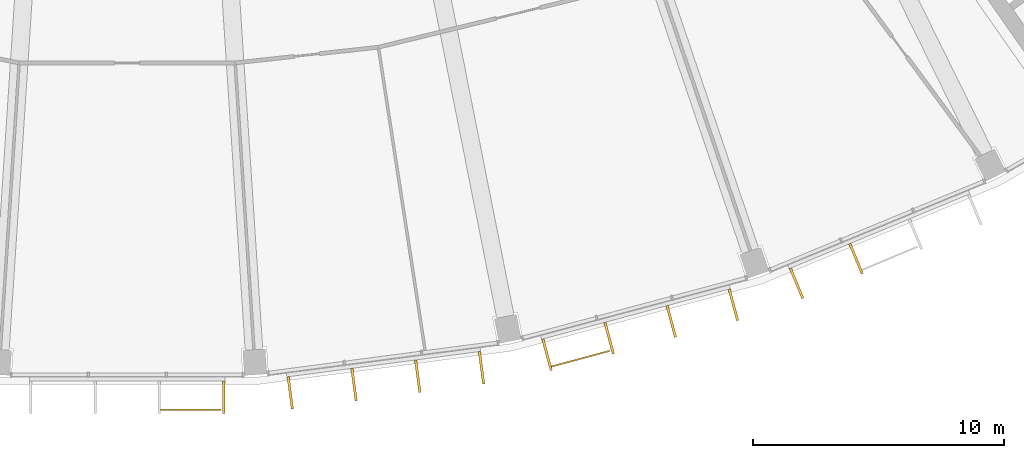
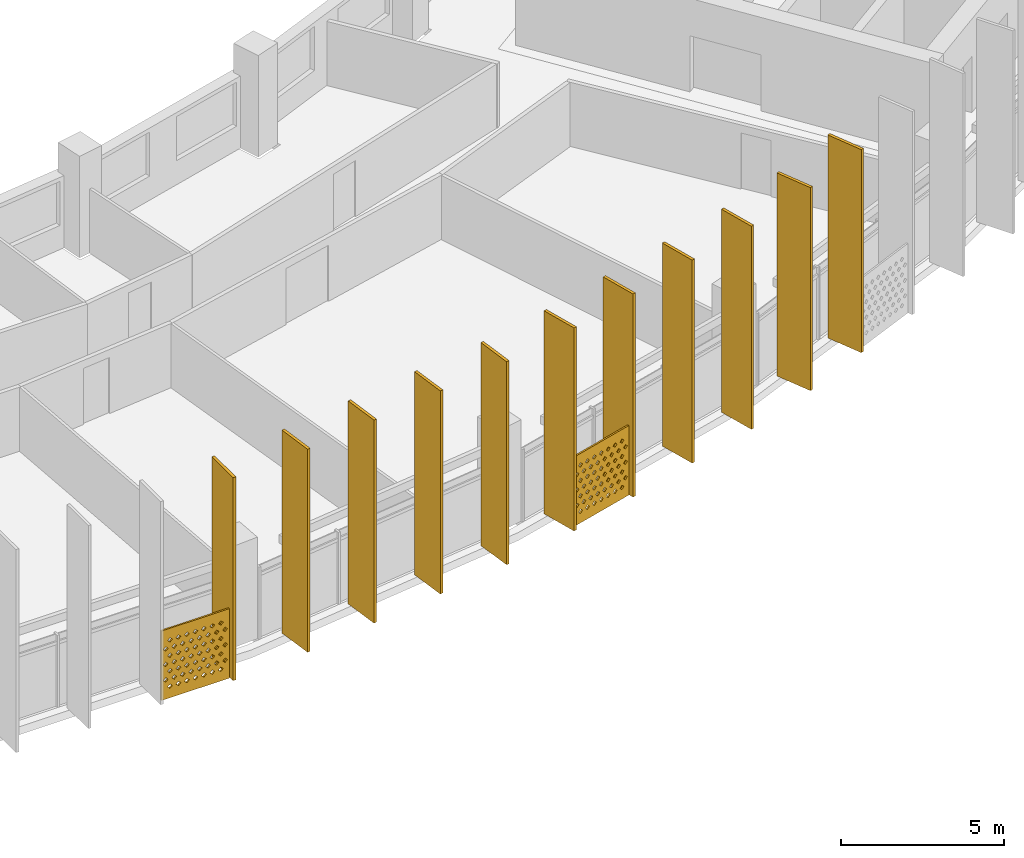
# One storey, part 26 of 29: 13 shading devices.
"""IFC4 building model written with IfcOpenShell, lengths in metres."""

import ifcopenshell
import ifcopenshell.guid

model = None  # the IFC model being written
_history = None  # IfcOwnerHistory: only IFC2X3 demands one
_inside = {}  # id of a spatial element -> (the spatial element, [elements in it])
_under = {}  # id of a project, library or spatial element -> (it, [spatial elements below it])
_declared = {}  # id of a project -> (the project, [libraries it declares])
_typed = {}  # id of a type object -> (the type object, [elements of that type])
_made_of = {}  # id of a material, layer set ... -> (it, [elements and type objects made of it])


def new_model(schema):
    """Start an empty IFC model of exactly this schema.

    Asked for "IFC4X3", IfcOpenShell would pick the latest addendum, in which some entities
    have other attributes; the version numbers below select the first issue.
    IFC2X3 requires an IfcOwnerHistory on every rooted entity: one is made here for all.
    """
    global model, _history
    if schema == "IFC4X3":
        model = ifcopenshell.file(schema_version=(4, 3, 0, 0))
    else:
        model = ifcopenshell.file(schema=schema)
    _inside.clear()
    _under.clear()
    _declared.clear()
    _typed.clear()
    _made_of.clear()
    _history = None
    if model.schema == "IFC2X3":
        org = make("IfcOrganization", Name="unknown")
        user = make(
            "IfcPersonAndOrganization",
            ThePerson=make("IfcPerson", FamilyName="unknown"),
            TheOrganization=org,
        )
        app = make(
            "IfcApplication",
            ApplicationDeveloper=org,
            Version="unknown",
            ApplicationFullName="unknown",
            ApplicationIdentifier="unknown",
        )
        _history = make(
            "IfcOwnerHistory",
            OwningUser=user,
            OwningApplication=app,
            ChangeAction="ADDED",
            CreationDate=0,
        )
    return model


def make(cls, **values):
    """One entity of the class cls with the attributes given. An attribute that is None is left unset."""
    return model.create_entity(
        cls, **{name: value for name, value in values.items() if value is not None}
    )


def rooted(cls, **values):
    """An entity with a GlobalId (a new one), such as an element, a storey or a relation."""
    return make(cls, GlobalId=ifcopenshell.guid.new(), OwnerHistory=_history, **values)


def si_unit(unit_type, name, prefix=None):
    """IfcSIUnit, for example si_unit("LENGTHUNIT", "METRE", prefix="MILLI")."""
    return make("IfcSIUnit", UnitType=unit_type, Prefix=prefix, Name=name)


def assignment(units):
    """IfcUnitAssignment: the units of a project."""
    return None if units is None else make("IfcUnitAssignment", Units=units)


def point(xyz):
    """IfcCartesianPoint."""
    return None if xyz is None else make("IfcCartesianPoint", Coordinates=xyz)


def direction(xyz):
    """IfcDirection."""
    return None if xyz is None else make("IfcDirection", DirectionRatios=xyz)


def frame(location, z_axis=None, x_axis=None):
    """IfcAxis2Placement3D, a coordinate frame: its origin and axes. An axis left out is left unset."""
    return make(
        "IfcAxis2Placement3D",
        Location=point(location),
        Axis=direction(z_axis),
        RefDirection=direction(x_axis),
    )


def frame_2d(location, x_axis=None):
    """IfcAxis2Placement2D, a coordinate frame in the plane: its origin and x axis."""
    return make(
        "IfcAxis2Placement2D", Location=point(location), RefDirection=direction(x_axis)
    )


def origin():
    """The frame at (0, 0, 0) with its axes left unset."""
    return frame((0.0, 0.0, 0.0))


def origin_2d():
    """The frame at (0, 0) in the plane with its x axis left unset."""
    return frame_2d((0.0, 0.0))


def place(relative_to, where):
    """IfcLocalPlacement: puts the frame where relative to a parent placement (None: the world)."""
    return make(
        "IfcLocalPlacement", PlacementRelTo=relative_to, RelativePlacement=where
    )


def context(
    kind, dimensions, precision=None, world=None, true_north=None, identifier=None
):
    """IfcGeometricRepresentationContext, for example the 3D "Model" context."""
    return make(
        "IfcGeometricRepresentationContext",
        ContextIdentifier=identifier,
        ContextType=kind,
        CoordinateSpaceDimension=dimensions,
        Precision=precision,
        WorldCoordinateSystem=world,
        TrueNorth=true_north,
    )


def subcontext(parent, identifier, kind, view, scale=None):
    """IfcGeometricRepresentationSubContext, for example "Body" below "Model"."""
    return make(
        "IfcGeometricRepresentationSubContext",
        ContextIdentifier=identifier,
        ContextType=kind,
        ParentContext=parent,
        TargetScale=scale,
        TargetView=view,
    )


def project(units=None, contexts=None):
    """IfcProject with its units and contexts."""
    return rooted(
        "IfcProject",
        Name="project",
        RepresentationContexts=contexts,
        UnitsInContext=assignment(units),
    )


def spatial(cls, under=None, at=None, **own):
    """A site, building, storey or space (cls), placed at a placement, below another one or the project."""
    s = rooted(cls, ObjectPlacement=at, **own)
    if under is not None:
        _under.setdefault(under.id(), (under, []))[1].append(s)
    return s


def polyline(points):
    """IfcPolyline through the points."""
    return make("IfcPolyline", Points=[point(p) for p in points])


def profile(cls, at=None, kind="AREA", **sizes):
    """A parametric profile (cls). Its sizes go by their IFC names, for example OverallWidth=200.0."""
    return make(cls, ProfileType=kind, Position=at, **sizes)


def rectangle(**sizes):
    """IfcRectangleProfileDef."""
    return profile("IfcRectangleProfileDef", **sizes)


def outline(outer, holes=None, kind="AREA"):
    """IfcArbitraryClosedProfileDef: a profile drawn as a closed curve; with holes, ...WithVoids."""
    if holes is None:
        return make("IfcArbitraryClosedProfileDef", ProfileType=kind, OuterCurve=outer)
    return make(
        "IfcArbitraryProfileDefWithVoids",
        ProfileType=kind,
        OuterCurve=outer,
        InnerCurves=holes,
    )


def extrude(swept, where, along, depth):
    """IfcExtrudedAreaSolid: the profile swept, set in the frame where, extruded along a direction by depth."""
    return make(
        "IfcExtrudedAreaSolid",
        SweptArea=swept,
        Position=where,
        ExtrudedDirection=direction(along),
        Depth=depth,
    )


def shape(context_of_items, identifier, shape_type, items):
    """IfcShapeRepresentation: the items that make up one representation, for example the "Body"."""
    return make(
        "IfcShapeRepresentation",
        ContextOfItems=context_of_items,
        RepresentationIdentifier=identifier,
        RepresentationType=shape_type,
        Items=items,
    )


def material(Name=None, Category=None):
    """IfcMaterial."""
    return make("IfcMaterial", Name=Name, Category=Category)


def material_profile(
    of_material, cross_section, Name=None, Category=None, Priority=None
):
    """IfcMaterialProfile: a cross section and its material."""
    return make(
        "IfcMaterialProfile",
        Name=Name,
        Material=of_material,
        Profile=cross_section,
        Priority=Priority,
        Category=Category,
    )


def profile_set(profiles, Name=None, composite=None):
    """IfcMaterialProfileSet."""
    return make(
        "IfcMaterialProfileSet",
        Name=Name,
        MaterialProfiles=profiles,
        CompositeProfile=composite,
    )


def made_of(thing, what):
    """Note that an element or type object is made of a material, layer set ...; save() writes the relation."""
    if what is not None:
        _made_of.setdefault(what.id(), (what, []))[1].append(thing)
    return thing


def type_object(cls, material=None, **own):
    """A type object (cls), such as IfcWallType, which elements share."""
    return made_of(rooted(cls, **own), material)


def element(
    cls,
    number,
    at=None,
    inside=None,
    cuts=None,
    type_object=None,
    material=None,
    context=None,
    identifier="Body",
    shape_type=None,
    held_by="IfcProductDefinitionShape",
    body=None,
    shapes=None,
    **own,
):
    """One element of the class cls, such as IfcWall. Its Tag is "e" and its number.

    at: its placement. inside: the storey or other place that contains it. cuts: it is an
    opening in that element (IfcRelVoidsElement). A single representation is given by context,
    identifier, shape_type and body (its items); several are given by shapes. held_by: the class
    of the entity that holds the representations. save() writes the other relations.
    """
    e = rooted(cls, Tag="e%d" % number, ObjectPlacement=at, **own)
    if body is not None:
        shapes = [shape(context, identifier, shape_type, body)]
    if shapes is not None:
        e.Representation = make(held_by, Representations=shapes)
    if inside is not None:
        _inside.setdefault(inside.id(), (inside, []))[1].append(e)
    if cuts is not None:
        rooted(
            "IfcRelVoidsElement", RelatingBuildingElement=cuts, RelatedOpeningElement=e
        )
    if type_object is not None:
        _typed.setdefault(type_object.id(), (type_object, []))[1].append(e)
    return made_of(e, material)


def aggregate(whole, parts):
    """IfcRelAggregates: a whole, such as a stair, and the parts it consists of."""
    return rooted("IfcRelAggregates", RelatingObject=whole, RelatedObjects=parts)


def save(model, path):
    """Write the relations noted so far, then the file.

    IfcRelAggregates (storeys below a building ...), IfcRelContainedInSpatialStructure (elements
    in a storey), IfcRelDefinesByType, IfcRelAssociatesMaterial and IfcRelDeclares: one each for
    every whole, place, type object, material and project.
    """
    for whole, parts in _under.values():
        aggregate(whole, parts)
    for where, things in _inside.values():
        rooted(
            "IfcRelContainedInSpatialStructure",
            RelatedElements=things,
            RelatingStructure=where,
        )
    for kind, things in _typed.values():
        rooted("IfcRelDefinesByType", RelatedObjects=things, RelatingType=kind)
    for what, things in _made_of.values():
        rooted("IfcRelAssociatesMaterial", RelatedObjects=things, RelatingMaterial=what)
    for by, libraries in _declared.values():
        rooted("IfcRelDeclares", RelatingContext=by, RelatedDefinitions=libraries)
    model.write(path)


model = new_model("IFC4")

# Units and contexts
model_context = context("Model", 3, precision=1e-05, world=origin(), true_north=direction((0.0, 1.0)))
body_context = subcontext(model_context, "Body", "Model", "MODEL_VIEW")
ifc_project = project(units=[si_unit("LENGTHUNIT", "METRE"), si_unit("AREAUNIT", "SQUARE_METRE"), si_unit("VOLUMEUNIT", "CUBIC_METRE"), si_unit("PLANEANGLEUNIT", "RADIAN"), si_unit("MASSUNIT", "GRAM", prefix="KILO")], contexts=[model_context])

# Site, building, storey
site_placement = place(None, origin())
site = spatial("IfcSite", under=ifc_project, at=site_placement, CompositionType="ELEMENT")
building_placement = place(site_placement, origin())
building = spatial("IfcBuilding", under=site, at=building_placement, Name="Qamariyya Broadcast Tower", CompositionType="ELEMENT")
storey_placement = place(building_placement, frame((0.0, 0.0, 258.10009765625)))
storey = spatial("IfcBuildingStorey", under=building, at=storey_placement, Name="L62", CompositionType="ELEMENT", Elevation=258.10009765625)

# Shading devices
ifc_material_1 = material(Name="Perforated glazed terracotta", Category="masonry")
ifc_material_profile_1 = material_profile(ifc_material_1, outline(polyline([(-1.199951171875, -1.300048828125), (1.199951171875, -1.300048828125), (1.199951171875, 1.300048828125), (-1.199951171875, 1.300048828125), (-1.199951171875, -1.300048828125)]), holes=[polyline([(-0.81494140625, -0.86669921875), (-0.89990234375, -0.78173828125), (-0.985107421875, -0.86669921875), (-0.89990234375, -0.95166015625), (-0.81494140625, -0.86669921875)]), polyline([(-0.514892578125, -0.86669921875), (-0.60009765625, -0.78173828125), (-0.68505859375, -0.86669921875), (-0.60009765625, -0.95166015625), (-0.514892578125, -0.86669921875)]), polyline([(-0.215087890625, -0.86669921875), (-0.300048828125, -0.78173828125), (-0.385009765625, -0.86669921875), (-0.300048828125, -0.95166015625), (-0.215087890625, -0.86669921875)]), polyline([(0.0849609375, -0.86669921875), (0.0, -0.78173828125), (-0.0849609375, -0.86669921875), (0.0, -0.95166015625), (0.0849609375, -0.86669921875)]), polyline([(0.385009765625, -0.86669921875), (0.300048828125, -0.78173828125), (0.215087890625, -0.86669921875), (0.300048828125, -0.95166015625), (0.385009765625, -0.86669921875)]), polyline([(0.68505859375, -0.86669921875), (0.60009765625, -0.78173828125), (0.514892578125, -0.86669921875), (0.60009765625, -0.95166015625), (0.68505859375, -0.86669921875)]), polyline([(0.985107421875, -0.86669921875), (0.89990234375, -0.78173828125), (0.81494140625, -0.86669921875), (0.89990234375, -0.95166015625), (0.985107421875, -0.86669921875)]), polyline([(-0.965087890625, -0.577880859375), (-1.050048828125, -0.49267578125), (-1.135009765625, -0.577880859375), (-1.050048828125, -0.662841796875), (-0.965087890625, -0.577880859375)]), polyline([(-0.6650390625, -0.577880859375), (-0.75, -0.49267578125), (-0.8349609375, -0.577880859375), (-0.75, -0.662841796875), (-0.6650390625, -0.577880859375)]), polyline([(-0.364990234375, -0.577880859375), (-0.449951171875, -0.49267578125), (-0.534912109375, -0.577880859375), (-0.449951171875, -0.662841796875), (-0.364990234375, -0.577880859375)]), polyline([(-0.06494140625, -0.577880859375), (-0.14990234375, -0.49267578125), (-0.235107421875, -0.577880859375), (-0.14990234375, -0.662841796875), (-0.06494140625, -0.577880859375)]), polyline([(0.235107421875, -0.577880859375), (0.14990234375, -0.49267578125), (0.06494140625, -0.577880859375), (0.14990234375, -0.662841796875), (0.235107421875, -0.577880859375)]), polyline([(0.534912109375, -0.577880859375), (0.449951171875, -0.49267578125), (0.364990234375, -0.577880859375), (0.449951171875, -0.662841796875), (0.534912109375, -0.577880859375)]), polyline([(0.8349609375, -0.577880859375), (0.75, -0.49267578125), (0.6650390625, -0.577880859375), (0.75, -0.662841796875), (0.8349609375, -0.577880859375)]), polyline([(1.135009765625, -0.577880859375), (1.050048828125, -0.49267578125), (0.965087890625, -0.577880859375), (1.050048828125, -0.662841796875), (1.135009765625, -0.577880859375)]), polyline([(-0.81494140625, -0.288818359375), (-0.89990234375, -0.203857421875), (-0.985107421875, -0.288818359375), (-0.89990234375, -0.373779296875), (-0.81494140625, -0.288818359375)]), polyline([(-0.514892578125, -0.288818359375), (-0.60009765625, -0.203857421875), (-0.68505859375, -0.288818359375), (-0.60009765625, -0.373779296875), (-0.514892578125, -0.288818359375)]), polyline([(-0.215087890625, -0.288818359375), (-0.300048828125, -0.203857421875), (-0.385009765625, -0.288818359375), (-0.300048828125, -0.373779296875), (-0.215087890625, -0.288818359375)]), polyline([(0.0849609375, -0.288818359375), (0.0, -0.203857421875), (-0.0849609375, -0.288818359375), (0.0, -0.373779296875), (0.0849609375, -0.288818359375)]), polyline([(0.385009765625, -0.288818359375), (0.300048828125, -0.203857421875), (0.215087890625, -0.288818359375), (0.300048828125, -0.373779296875), (0.385009765625, -0.288818359375)]), polyline([(0.68505859375, -0.288818359375), (0.60009765625, -0.203857421875), (0.514892578125, -0.288818359375), (0.60009765625, -0.373779296875), (0.68505859375, -0.288818359375)]), polyline([(0.985107421875, -0.288818359375), (0.89990234375, -0.203857421875), (0.81494140625, -0.288818359375), (0.89990234375, -0.373779296875), (0.985107421875, -0.288818359375)]), polyline([(-0.965087890625, 0.0), (-1.050048828125, 0.0849609375), (-1.135009765625, 0.0), (-1.050048828125, -0.0849609375), (-0.965087890625, 0.0)]), polyline([(-0.6650390625, 0.0), (-0.75, 0.0849609375), (-0.8349609375, 0.0), (-0.75, -0.0849609375), (-0.6650390625, 0.0)]), polyline([(-0.364990234375, 0.0), (-0.449951171875, 0.0849609375), (-0.534912109375, 0.0), (-0.449951171875, -0.0849609375), (-0.364990234375, 0.0)]), polyline([(-0.06494140625, 0.0), (-0.14990234375, 0.0849609375), (-0.235107421875, 0.0), (-0.14990234375, -0.0849609375), (-0.06494140625, 0.0)]), polyline([(0.235107421875, 0.0), (0.14990234375, 0.0849609375), (0.06494140625, 0.0), (0.14990234375, -0.0849609375), (0.235107421875, 0.0)]), polyline([(0.534912109375, 0.0), (0.449951171875, 0.0849609375), (0.364990234375, 0.0), (0.449951171875, -0.0849609375), (0.534912109375, 0.0)]), polyline([(0.8349609375, 0.0), (0.75, 0.0849609375), (0.6650390625, 0.0), (0.75, -0.0849609375), (0.8349609375, 0.0)]), polyline([(1.135009765625, 0.0), (1.050048828125, 0.0849609375), (0.965087890625, 0.0), (1.050048828125, -0.0849609375), (1.135009765625, 0.0)]), polyline([(-0.81494140625, 0.288818359375), (-0.89990234375, 0.373779296875), (-0.985107421875, 0.288818359375), (-0.89990234375, 0.203857421875), (-0.81494140625, 0.288818359375)]), polyline([(-0.514892578125, 0.288818359375), (-0.60009765625, 0.373779296875), (-0.68505859375, 0.288818359375), (-0.60009765625, 0.203857421875), (-0.514892578125, 0.288818359375)]), polyline([(-0.215087890625, 0.288818359375), (-0.300048828125, 0.373779296875), (-0.385009765625, 0.288818359375), (-0.300048828125, 0.203857421875), (-0.215087890625, 0.288818359375)]), polyline([(0.0849609375, 0.288818359375), (0.0, 0.373779296875), (-0.0849609375, 0.288818359375), (0.0, 0.203857421875), (0.0849609375, 0.288818359375)]), polyline([(0.385009765625, 0.288818359375), (0.300048828125, 0.373779296875), (0.215087890625, 0.288818359375), (0.300048828125, 0.203857421875), (0.385009765625, 0.288818359375)]), polyline([(0.68505859375, 0.288818359375), (0.60009765625, 0.373779296875), (0.514892578125, 0.288818359375), (0.60009765625, 0.203857421875), (0.68505859375, 0.288818359375)]), polyline([(0.985107421875, 0.288818359375), (0.89990234375, 0.373779296875), (0.81494140625, 0.288818359375), (0.89990234375, 0.203857421875), (0.985107421875, 0.288818359375)]), polyline([(-0.965087890625, 0.577880859375), (-1.050048828125, 0.662841796875), (-1.135009765625, 0.577880859375), (-1.050048828125, 0.49267578125), (-0.965087890625, 0.577880859375)]), polyline([(-0.6650390625, 0.577880859375), (-0.75, 0.662841796875), (-0.8349609375, 0.577880859375), (-0.75, 0.49267578125), (-0.6650390625, 0.577880859375)]), polyline([(-0.364990234375, 0.577880859375), (-0.449951171875, 0.662841796875), (-0.534912109375, 0.577880859375), (-0.449951171875, 0.49267578125), (-0.364990234375, 0.577880859375)]), polyline([(-0.06494140625, 0.577880859375), (-0.14990234375, 0.662841796875), (-0.235107421875, 0.577880859375), (-0.14990234375, 0.49267578125), (-0.06494140625, 0.577880859375)]), polyline([(0.235107421875, 0.577880859375), (0.14990234375, 0.662841796875), (0.06494140625, 0.577880859375), (0.14990234375, 0.49267578125), (0.235107421875, 0.577880859375)]), polyline([(0.534912109375, 0.577880859375), (0.449951171875, 0.662841796875), (0.364990234375, 0.577880859375), (0.449951171875, 0.49267578125), (0.534912109375, 0.577880859375)]), polyline([(0.8349609375, 0.577880859375), (0.75, 0.662841796875), (0.6650390625, 0.577880859375), (0.75, 0.49267578125), (0.8349609375, 0.577880859375)]), polyline([(1.135009765625, 0.577880859375), (1.050048828125, 0.662841796875), (0.965087890625, 0.577880859375), (1.050048828125, 0.49267578125), (1.135009765625, 0.577880859375)]), polyline([(-0.81494140625, 0.86669921875), (-0.89990234375, 0.95166015625), (-0.985107421875, 0.86669921875), (-0.89990234375, 0.78173828125), (-0.81494140625, 0.86669921875)]), polyline([(-0.514892578125, 0.86669921875), (-0.60009765625, 0.95166015625), (-0.68505859375, 0.86669921875), (-0.60009765625, 0.78173828125), (-0.514892578125, 0.86669921875)]), polyline([(-0.215087890625, 0.86669921875), (-0.300048828125, 0.95166015625), (-0.385009765625, 0.86669921875), (-0.300048828125, 0.78173828125), (-0.215087890625, 0.86669921875)]), polyline([(0.0849609375, 0.86669921875), (0.0, 0.95166015625), (-0.0849609375, 0.86669921875), (0.0, 0.78173828125), (0.0849609375, 0.86669921875)]), polyline([(0.385009765625, 0.86669921875), (0.300048828125, 0.95166015625), (0.215087890625, 0.86669921875), (0.300048828125, 0.78173828125), (0.385009765625, 0.86669921875)]), polyline([(0.68505859375, 0.86669921875), (0.60009765625, 0.95166015625), (0.514892578125, 0.86669921875), (0.60009765625, 0.78173828125), (0.68505859375, 0.86669921875)]), polyline([(0.985107421875, 0.86669921875), (0.89990234375, 0.95166015625), (0.81494140625, 0.86669921875), (0.89990234375, 0.78173828125), (0.985107421875, 0.86669921875)])]))
ifc_profile_set_1 = profile_set([ifc_material_profile_1], Name="Perforated glazed terracotta")
shading_device_type_1 = type_object("IfcShadingDeviceType", Name="Perforated terracotta screen 2400 x 2600", PredefinedType="USERDEFINED", material=ifc_profile_set_1)
shading_device_1_placement = place(storey_placement, frame((2.531005859375, -79.4521484375, 1.349853515625), z_axis=(0.0, -1.0, 0.0), x_axis=(1.0, 0.0, 0.0)))
element("IfcShadingDevice", 1, at=shading_device_1_placement, inside=storey, type_object=shading_device_type_1, Name="e-scr-L62-07-2", ObjectType="SCREEN", PredefinedType="USERDEFINED", context=body_context, shape_type="SweptSolid", body=[
    extrude(outline(polyline([(-1.199951171875, -1.300048828125), (1.199951171875, -1.300048828125), (1.199951171875, 1.300048828125), (-1.199951171875, 1.300048828125), (-1.199951171875, -1.300048828125)]), holes=[polyline([(-0.81494140625, -0.86669921875), (-0.89990234375, -0.78173828125), (-0.985107421875, -0.86669921875), (-0.89990234375, -0.95166015625), (-0.81494140625, -0.86669921875)]), polyline([(-0.514892578125, -0.86669921875), (-0.60009765625, -0.78173828125), (-0.68505859375, -0.86669921875), (-0.60009765625, -0.95166015625), (-0.514892578125, -0.86669921875)]), polyline([(-0.215087890625, -0.86669921875), (-0.300048828125, -0.78173828125), (-0.385009765625, -0.86669921875), (-0.300048828125, -0.95166015625), (-0.215087890625, -0.86669921875)]), polyline([(0.0849609375, -0.86669921875), (0.0, -0.78173828125), (-0.0849609375, -0.86669921875), (0.0, -0.95166015625), (0.0849609375, -0.86669921875)]), polyline([(0.385009765625, -0.86669921875), (0.300048828125, -0.78173828125), (0.215087890625, -0.86669921875), (0.300048828125, -0.95166015625), (0.385009765625, -0.86669921875)]), polyline([(0.68505859375, -0.86669921875), (0.60009765625, -0.78173828125), (0.514892578125, -0.86669921875), (0.60009765625, -0.95166015625), (0.68505859375, -0.86669921875)]), polyline([(0.985107421875, -0.86669921875), (0.89990234375, -0.78173828125), (0.81494140625, -0.86669921875), (0.89990234375, -0.95166015625), (0.985107421875, -0.86669921875)]), polyline([(-0.965087890625, -0.577880859375), (-1.050048828125, -0.49267578125), (-1.135009765625, -0.577880859375), (-1.050048828125, -0.662841796875), (-0.965087890625, -0.577880859375)]), polyline([(-0.6650390625, -0.577880859375), (-0.75, -0.49267578125), (-0.8349609375, -0.577880859375), (-0.75, -0.662841796875), (-0.6650390625, -0.577880859375)]), polyline([(-0.364990234375, -0.577880859375), (-0.449951171875, -0.49267578125), (-0.534912109375, -0.577880859375), (-0.449951171875, -0.662841796875), (-0.364990234375, -0.577880859375)]), polyline([(-0.06494140625, -0.577880859375), (-0.14990234375, -0.49267578125), (-0.235107421875, -0.577880859375), (-0.14990234375, -0.662841796875), (-0.06494140625, -0.577880859375)]), polyline([(0.235107421875, -0.577880859375), (0.14990234375, -0.49267578125), (0.06494140625, -0.577880859375), (0.14990234375, -0.662841796875), (0.235107421875, -0.577880859375)]), polyline([(0.534912109375, -0.577880859375), (0.449951171875, -0.49267578125), (0.364990234375, -0.577880859375), (0.449951171875, -0.662841796875), (0.534912109375, -0.577880859375)]), polyline([(0.8349609375, -0.577880859375), (0.75, -0.49267578125), (0.6650390625, -0.577880859375), (0.75, -0.662841796875), (0.8349609375, -0.577880859375)]), polyline([(1.135009765625, -0.577880859375), (1.050048828125, -0.49267578125), (0.965087890625, -0.577880859375), (1.050048828125, -0.662841796875), (1.135009765625, -0.577880859375)]), polyline([(-0.81494140625, -0.288818359375), (-0.89990234375, -0.203857421875), (-0.985107421875, -0.288818359375), (-0.89990234375, -0.373779296875), (-0.81494140625, -0.288818359375)]), polyline([(-0.514892578125, -0.288818359375), (-0.60009765625, -0.203857421875), (-0.68505859375, -0.288818359375), (-0.60009765625, -0.373779296875), (-0.514892578125, -0.288818359375)]), polyline([(-0.215087890625, -0.288818359375), (-0.300048828125, -0.203857421875), (-0.385009765625, -0.288818359375), (-0.300048828125, -0.373779296875), (-0.215087890625, -0.288818359375)]), polyline([(0.0849609375, -0.288818359375), (0.0, -0.203857421875), (-0.0849609375, -0.288818359375), (0.0, -0.373779296875), (0.0849609375, -0.288818359375)]), polyline([(0.385009765625, -0.288818359375), (0.300048828125, -0.203857421875), (0.215087890625, -0.288818359375), (0.300048828125, -0.373779296875), (0.385009765625, -0.288818359375)]), polyline([(0.68505859375, -0.288818359375), (0.60009765625, -0.203857421875), (0.514892578125, -0.288818359375), (0.60009765625, -0.373779296875), (0.68505859375, -0.288818359375)]), polyline([(0.985107421875, -0.288818359375), (0.89990234375, -0.203857421875), (0.81494140625, -0.288818359375), (0.89990234375, -0.373779296875), (0.985107421875, -0.288818359375)]), polyline([(-0.965087890625, 0.0), (-1.050048828125, 0.0849609375), (-1.135009765625, 0.0), (-1.050048828125, -0.0849609375), (-0.965087890625, 0.0)]), polyline([(-0.6650390625, 0.0), (-0.75, 0.0849609375), (-0.8349609375, 0.0), (-0.75, -0.0849609375), (-0.6650390625, 0.0)]), polyline([(-0.364990234375, 0.0), (-0.449951171875, 0.0849609375), (-0.534912109375, 0.0), (-0.449951171875, -0.0849609375), (-0.364990234375, 0.0)]), polyline([(-0.06494140625, 0.0), (-0.14990234375, 0.0849609375), (-0.235107421875, 0.0), (-0.14990234375, -0.0849609375), (-0.06494140625, 0.0)]), polyline([(0.235107421875, 0.0), (0.14990234375, 0.0849609375), (0.06494140625, 0.0), (0.14990234375, -0.0849609375), (0.235107421875, 0.0)]), polyline([(0.534912109375, 0.0), (0.449951171875, 0.0849609375), (0.364990234375, 0.0), (0.449951171875, -0.0849609375), (0.534912109375, 0.0)]), polyline([(0.8349609375, 0.0), (0.75, 0.0849609375), (0.6650390625, 0.0), (0.75, -0.0849609375), (0.8349609375, 0.0)]), polyline([(1.135009765625, 0.0), (1.050048828125, 0.0849609375), (0.965087890625, 0.0), (1.050048828125, -0.0849609375), (1.135009765625, 0.0)]), polyline([(-0.81494140625, 0.288818359375), (-0.89990234375, 0.373779296875), (-0.985107421875, 0.288818359375), (-0.89990234375, 0.203857421875), (-0.81494140625, 0.288818359375)]), polyline([(-0.514892578125, 0.288818359375), (-0.60009765625, 0.373779296875), (-0.68505859375, 0.288818359375), (-0.60009765625, 0.203857421875), (-0.514892578125, 0.288818359375)]), polyline([(-0.215087890625, 0.288818359375), (-0.300048828125, 0.373779296875), (-0.385009765625, 0.288818359375), (-0.300048828125, 0.203857421875), (-0.215087890625, 0.288818359375)]), polyline([(0.0849609375, 0.288818359375), (0.0, 0.373779296875), (-0.0849609375, 0.288818359375), (0.0, 0.203857421875), (0.0849609375, 0.288818359375)]), polyline([(0.385009765625, 0.288818359375), (0.300048828125, 0.373779296875), (0.215087890625, 0.288818359375), (0.300048828125, 0.203857421875), (0.385009765625, 0.288818359375)]), polyline([(0.68505859375, 0.288818359375), (0.60009765625, 0.373779296875), (0.514892578125, 0.288818359375), (0.60009765625, 0.203857421875), (0.68505859375, 0.288818359375)]), polyline([(0.985107421875, 0.288818359375), (0.89990234375, 0.373779296875), (0.81494140625, 0.288818359375), (0.89990234375, 0.203857421875), (0.985107421875, 0.288818359375)]), polyline([(-0.965087890625, 0.577880859375), (-1.050048828125, 0.662841796875), (-1.135009765625, 0.577880859375), (-1.050048828125, 0.49267578125), (-0.965087890625, 0.577880859375)]), polyline([(-0.6650390625, 0.577880859375), (-0.75, 0.662841796875), (-0.8349609375, 0.577880859375), (-0.75, 0.49267578125), (-0.6650390625, 0.577880859375)]), polyline([(-0.364990234375, 0.577880859375), (-0.449951171875, 0.662841796875), (-0.534912109375, 0.577880859375), (-0.449951171875, 0.49267578125), (-0.364990234375, 0.577880859375)]), polyline([(-0.06494140625, 0.577880859375), (-0.14990234375, 0.662841796875), (-0.235107421875, 0.577880859375), (-0.14990234375, 0.49267578125), (-0.06494140625, 0.577880859375)]), polyline([(0.235107421875, 0.577880859375), (0.14990234375, 0.662841796875), (0.06494140625, 0.577880859375), (0.14990234375, 0.49267578125), (0.235107421875, 0.577880859375)]), polyline([(0.534912109375, 0.577880859375), (0.449951171875, 0.662841796875), (0.364990234375, 0.577880859375), (0.449951171875, 0.49267578125), (0.534912109375, 0.577880859375)]), polyline([(0.8349609375, 0.577880859375), (0.75, 0.662841796875), (0.6650390625, 0.577880859375), (0.75, 0.49267578125), (0.8349609375, 0.577880859375)]), polyline([(1.135009765625, 0.577880859375), (1.050048828125, 0.662841796875), (0.965087890625, 0.577880859375), (1.050048828125, 0.49267578125), (1.135009765625, 0.577880859375)]), polyline([(-0.81494140625, 0.86669921875), (-0.89990234375, 0.95166015625), (-0.985107421875, 0.86669921875), (-0.89990234375, 0.78173828125), (-0.81494140625, 0.86669921875)]), polyline([(-0.514892578125, 0.86669921875), (-0.60009765625, 0.95166015625), (-0.68505859375, 0.86669921875), (-0.60009765625, 0.78173828125), (-0.514892578125, 0.86669921875)]), polyline([(-0.215087890625, 0.86669921875), (-0.300048828125, 0.95166015625), (-0.385009765625, 0.86669921875), (-0.300048828125, 0.78173828125), (-0.215087890625, 0.86669921875)]), polyline([(0.0849609375, 0.86669921875), (0.0, 0.95166015625), (-0.0849609375, 0.86669921875), (0.0, 0.78173828125), (0.0849609375, 0.86669921875)]), polyline([(0.385009765625, 0.86669921875), (0.300048828125, 0.95166015625), (0.215087890625, 0.86669921875), (0.300048828125, 0.78173828125), (0.385009765625, 0.86669921875)]), polyline([(0.68505859375, 0.86669921875), (0.60009765625, 0.95166015625), (0.514892578125, 0.86669921875), (0.60009765625, 0.78173828125), (0.68505859375, 0.86669921875)]), polyline([(0.985107421875, 0.86669921875), (0.89990234375, 0.95166015625), (0.81494140625, 0.86669921875), (0.89990234375, 0.78173828125), (0.985107421875, 0.86669921875)])]), origin(), (0.0, 0.0, 1.0), 0.06005859375),
])
shading_device_2_placement = place(storey_placement, frame((18.058837890625, -77.416259765625, 1.349853515625), z_axis=(0.260703819255, -0.965418830677, 0.0), x_axis=(0.965418830677, 0.260703819255, 0.0)))
element("IfcShadingDevice", 2, at=shading_device_2_placement, inside=storey, type_object=shading_device_type_1, Name="e-scr-L62-09-0", ObjectType="SCREEN", PredefinedType="USERDEFINED", context=body_context, shape_type="SweptSolid", body=[
    extrude(outline(polyline([(-1.199951171875, -1.300048828125), (1.199951171875, -1.300048828125), (1.199951171875, 1.300048828125), (-1.199951171875, 1.300048828125), (-1.199951171875, -1.300048828125)]), holes=[polyline([(-0.81494140625, -0.86669921875), (-0.89990234375, -0.78173828125), (-0.985107421875, -0.86669921875), (-0.89990234375, -0.95166015625), (-0.81494140625, -0.86669921875)]), polyline([(-0.514892578125, -0.86669921875), (-0.60009765625, -0.78173828125), (-0.68505859375, -0.86669921875), (-0.60009765625, -0.95166015625), (-0.514892578125, -0.86669921875)]), polyline([(-0.215087890625, -0.86669921875), (-0.300048828125, -0.78173828125), (-0.385009765625, -0.86669921875), (-0.300048828125, -0.95166015625), (-0.215087890625, -0.86669921875)]), polyline([(0.0849609375, -0.86669921875), (0.0, -0.78173828125), (-0.0849609375, -0.86669921875), (0.0, -0.95166015625), (0.0849609375, -0.86669921875)]), polyline([(0.385009765625, -0.86669921875), (0.300048828125, -0.78173828125), (0.215087890625, -0.86669921875), (0.300048828125, -0.95166015625), (0.385009765625, -0.86669921875)]), polyline([(0.68505859375, -0.86669921875), (0.60009765625, -0.78173828125), (0.514892578125, -0.86669921875), (0.60009765625, -0.95166015625), (0.68505859375, -0.86669921875)]), polyline([(0.985107421875, -0.86669921875), (0.89990234375, -0.78173828125), (0.81494140625, -0.86669921875), (0.89990234375, -0.95166015625), (0.985107421875, -0.86669921875)]), polyline([(-0.965087890625, -0.577880859375), (-1.050048828125, -0.49267578125), (-1.135009765625, -0.577880859375), (-1.050048828125, -0.662841796875), (-0.965087890625, -0.577880859375)]), polyline([(-0.6650390625, -0.577880859375), (-0.75, -0.49267578125), (-0.8349609375, -0.577880859375), (-0.75, -0.662841796875), (-0.6650390625, -0.577880859375)]), polyline([(-0.364990234375, -0.577880859375), (-0.449951171875, -0.49267578125), (-0.534912109375, -0.577880859375), (-0.449951171875, -0.662841796875), (-0.364990234375, -0.577880859375)]), polyline([(-0.06494140625, -0.577880859375), (-0.14990234375, -0.49267578125), (-0.235107421875, -0.577880859375), (-0.14990234375, -0.662841796875), (-0.06494140625, -0.577880859375)]), polyline([(0.235107421875, -0.577880859375), (0.14990234375, -0.49267578125), (0.06494140625, -0.577880859375), (0.14990234375, -0.662841796875), (0.235107421875, -0.577880859375)]), polyline([(0.534912109375, -0.577880859375), (0.449951171875, -0.49267578125), (0.364990234375, -0.577880859375), (0.449951171875, -0.662841796875), (0.534912109375, -0.577880859375)]), polyline([(0.8349609375, -0.577880859375), (0.75, -0.49267578125), (0.6650390625, -0.577880859375), (0.75, -0.662841796875), (0.8349609375, -0.577880859375)]), polyline([(1.135009765625, -0.577880859375), (1.050048828125, -0.49267578125), (0.965087890625, -0.577880859375), (1.050048828125, -0.662841796875), (1.135009765625, -0.577880859375)]), polyline([(-0.81494140625, -0.288818359375), (-0.89990234375, -0.203857421875), (-0.985107421875, -0.288818359375), (-0.89990234375, -0.373779296875), (-0.81494140625, -0.288818359375)]), polyline([(-0.514892578125, -0.288818359375), (-0.60009765625, -0.203857421875), (-0.68505859375, -0.288818359375), (-0.60009765625, -0.373779296875), (-0.514892578125, -0.288818359375)]), polyline([(-0.215087890625, -0.288818359375), (-0.300048828125, -0.203857421875), (-0.385009765625, -0.288818359375), (-0.300048828125, -0.373779296875), (-0.215087890625, -0.288818359375)]), polyline([(0.0849609375, -0.288818359375), (0.0, -0.203857421875), (-0.0849609375, -0.288818359375), (0.0, -0.373779296875), (0.0849609375, -0.288818359375)]), polyline([(0.385009765625, -0.288818359375), (0.300048828125, -0.203857421875), (0.215087890625, -0.288818359375), (0.300048828125, -0.373779296875), (0.385009765625, -0.288818359375)]), polyline([(0.68505859375, -0.288818359375), (0.60009765625, -0.203857421875), (0.514892578125, -0.288818359375), (0.60009765625, -0.373779296875), (0.68505859375, -0.288818359375)]), polyline([(0.985107421875, -0.288818359375), (0.89990234375, -0.203857421875), (0.81494140625, -0.288818359375), (0.89990234375, -0.373779296875), (0.985107421875, -0.288818359375)]), polyline([(-0.965087890625, 0.0), (-1.050048828125, 0.0849609375), (-1.135009765625, 0.0), (-1.050048828125, -0.0849609375), (-0.965087890625, 0.0)]), polyline([(-0.6650390625, 0.0), (-0.75, 0.0849609375), (-0.8349609375, 0.0), (-0.75, -0.0849609375), (-0.6650390625, 0.0)]), polyline([(-0.364990234375, 0.0), (-0.449951171875, 0.0849609375), (-0.534912109375, 0.0), (-0.449951171875, -0.0849609375), (-0.364990234375, 0.0)]), polyline([(-0.06494140625, 0.0), (-0.14990234375, 0.0849609375), (-0.235107421875, 0.0), (-0.14990234375, -0.0849609375), (-0.06494140625, 0.0)]), polyline([(0.235107421875, 0.0), (0.14990234375, 0.0849609375), (0.06494140625, 0.0), (0.14990234375, -0.0849609375), (0.235107421875, 0.0)]), polyline([(0.534912109375, 0.0), (0.449951171875, 0.0849609375), (0.364990234375, 0.0), (0.449951171875, -0.0849609375), (0.534912109375, 0.0)]), polyline([(0.8349609375, 0.0), (0.75, 0.0849609375), (0.6650390625, 0.0), (0.75, -0.0849609375), (0.8349609375, 0.0)]), polyline([(1.135009765625, 0.0), (1.050048828125, 0.0849609375), (0.965087890625, 0.0), (1.050048828125, -0.0849609375), (1.135009765625, 0.0)]), polyline([(-0.81494140625, 0.288818359375), (-0.89990234375, 0.373779296875), (-0.985107421875, 0.288818359375), (-0.89990234375, 0.203857421875), (-0.81494140625, 0.288818359375)]), polyline([(-0.514892578125, 0.288818359375), (-0.60009765625, 0.373779296875), (-0.68505859375, 0.288818359375), (-0.60009765625, 0.203857421875), (-0.514892578125, 0.288818359375)]), polyline([(-0.215087890625, 0.288818359375), (-0.300048828125, 0.373779296875), (-0.385009765625, 0.288818359375), (-0.300048828125, 0.203857421875), (-0.215087890625, 0.288818359375)]), polyline([(0.0849609375, 0.288818359375), (0.0, 0.373779296875), (-0.0849609375, 0.288818359375), (0.0, 0.203857421875), (0.0849609375, 0.288818359375)]), polyline([(0.385009765625, 0.288818359375), (0.300048828125, 0.373779296875), (0.215087890625, 0.288818359375), (0.300048828125, 0.203857421875), (0.385009765625, 0.288818359375)]), polyline([(0.68505859375, 0.288818359375), (0.60009765625, 0.373779296875), (0.514892578125, 0.288818359375), (0.60009765625, 0.203857421875), (0.68505859375, 0.288818359375)]), polyline([(0.985107421875, 0.288818359375), (0.89990234375, 0.373779296875), (0.81494140625, 0.288818359375), (0.89990234375, 0.203857421875), (0.985107421875, 0.288818359375)]), polyline([(-0.965087890625, 0.577880859375), (-1.050048828125, 0.662841796875), (-1.135009765625, 0.577880859375), (-1.050048828125, 0.49267578125), (-0.965087890625, 0.577880859375)]), polyline([(-0.6650390625, 0.577880859375), (-0.75, 0.662841796875), (-0.8349609375, 0.577880859375), (-0.75, 0.49267578125), (-0.6650390625, 0.577880859375)]), polyline([(-0.364990234375, 0.577880859375), (-0.449951171875, 0.662841796875), (-0.534912109375, 0.577880859375), (-0.449951171875, 0.49267578125), (-0.364990234375, 0.577880859375)]), polyline([(-0.06494140625, 0.577880859375), (-0.14990234375, 0.662841796875), (-0.235107421875, 0.577880859375), (-0.14990234375, 0.49267578125), (-0.06494140625, 0.577880859375)]), polyline([(0.235107421875, 0.577880859375), (0.14990234375, 0.662841796875), (0.06494140625, 0.577880859375), (0.14990234375, 0.49267578125), (0.235107421875, 0.577880859375)]), polyline([(0.534912109375, 0.577880859375), (0.449951171875, 0.662841796875), (0.364990234375, 0.577880859375), (0.449951171875, 0.49267578125), (0.534912109375, 0.577880859375)]), polyline([(0.8349609375, 0.577880859375), (0.75, 0.662841796875), (0.6650390625, 0.577880859375), (0.75, 0.49267578125), (0.8349609375, 0.577880859375)]), polyline([(1.135009765625, 0.577880859375), (1.050048828125, 0.662841796875), (0.965087890625, 0.577880859375), (1.050048828125, 0.49267578125), (1.135009765625, 0.577880859375)]), polyline([(-0.81494140625, 0.86669921875), (-0.89990234375, 0.95166015625), (-0.985107421875, 0.86669921875), (-0.89990234375, 0.78173828125), (-0.81494140625, 0.86669921875)]), polyline([(-0.514892578125, 0.86669921875), (-0.60009765625, 0.95166015625), (-0.68505859375, 0.86669921875), (-0.60009765625, 0.78173828125), (-0.514892578125, 0.86669921875)]), polyline([(-0.215087890625, 0.86669921875), (-0.300048828125, 0.95166015625), (-0.385009765625, 0.86669921875), (-0.300048828125, 0.78173828125), (-0.215087890625, 0.86669921875)]), polyline([(0.0849609375, 0.86669921875), (0.0, 0.95166015625), (-0.0849609375, 0.86669921875), (0.0, 0.78173828125), (0.0849609375, 0.86669921875)]), polyline([(0.385009765625, 0.86669921875), (0.300048828125, 0.95166015625), (0.215087890625, 0.86669921875), (0.300048828125, 0.78173828125), (0.385009765625, 0.86669921875)]), polyline([(0.68505859375, 0.86669921875), (0.60009765625, 0.95166015625), (0.514892578125, 0.86669921875), (0.60009765625, 0.78173828125), (0.68505859375, 0.86669921875)]), polyline([(0.985107421875, 0.86669921875), (0.89990234375, 0.95166015625), (0.81494140625, 0.86669921875), (0.89990234375, 0.78173828125), (0.985107421875, 0.86669921875)])]), origin(), (0.0, 0.0, 1.0), 0.059814453125),
])
ifc_material_2 = material(Name="Glazed terracotta", Category="masonry")
ifc_material_profile_2 = material_profile(ifc_material_2, rectangle(XDim=1.300048828125, YDim=0.10009765625, at=origin_2d()))
ifc_profile_set_2 = profile_set([ifc_material_profile_2], Name="Glazed terracotta")
shading_device_type_2 = type_object("IfcShadingDeviceType", Name="Terracotta fin 100 x 1300", PredefinedType="USERDEFINED", material=ifc_profile_set_2)
for number, where, z_axis, x_axis, name in (
    (3, (3.84326171875, -78.982177734375, 0.0), (0.0, 0.0, 1.0), (0.0, -1.0, 0.0), "e-fin-L62-07-3"),
    (4, (6.498779296875, -78.80810546875, 0.0), (0.0, 0.0, 1.0), (0.13052619222, -0.991444861374, 0.0), "e-fin-L62-08-0"),
    (5, (9.0390625, -78.473876953125, 0.0), (0.0, 0.0, 1.0), (0.13052619222, -0.991444861374, 0.0), "e-fin-L62-08-1"),
    (6, (11.579345703125, -78.139404296875, 0.0), (0.0, 0.0, 1.0), (0.13052619222, -0.991444861374, 0.0), "e-fin-L62-08-2"),
    (7, (14.11962890625, -77.804931640625, 0.0), (0.0, 0.0, 1.0), (0.13052619222, -0.991444861374, 0.0), "e-fin-L62-08-3"),
    (8, (16.729736328125, -77.28564453125, 0.0), (0.0, 0.0, 1.0), (0.258819045103, -0.965925826289, 0.0), "e-fin-L62-09-0"),
    (9, (19.20458984375, -76.62255859375, 0.0), (0.0, 0.0, 1.0), (0.258819045103, -0.965925826289, 0.0), "e-fin-L62-09-1"),
    (10, (21.679443359375, -75.95947265625, 0.0), (0.0, 0.0, 1.0), (0.258819045103, -0.965925826289, 0.0), "e-fin-L62-09-2"),
    (11, (24.154296875, -75.29638671875, 0.0), (0.0, 0.0, 1.0), (0.258819045103, -0.965925826289, 0.0), "e-fin-L62-09-3"),
    (12, (26.674560546875, -74.44091796875, 0.0), (0.0, 0.0, 1.0), (0.382683432365, -0.923879532511, 0.0), "e-fin-L62-10-0"),
    (13, (29.041748046875, -73.46044921875, 0.0), (0.0, 0.0, 1.0), (0.382683432365, -0.923879532511, 0.0), "e-fin-L62-10-1"),
):
    element("IfcShadingDevice", number, at=place(storey_placement, frame(where, z_axis=z_axis, x_axis=x_axis)), inside=storey, type_object=shading_device_type_2, Name=name, ObjectType="FIN", PredefinedType="USERDEFINED", context=body_context, shape_type="SweptSolid", body=[
        extrude(rectangle(XDim=1.300048828125, YDim=0.10009765625, at=origin_2d()), origin(), (0.0, 0.0, 1.0), 7.599853515625),
    ])

save(model, "model.ifc")
